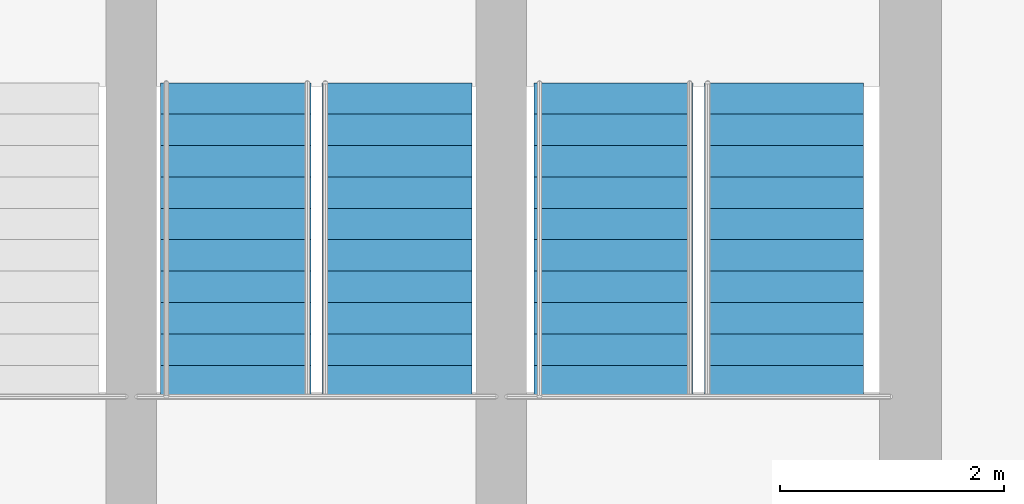
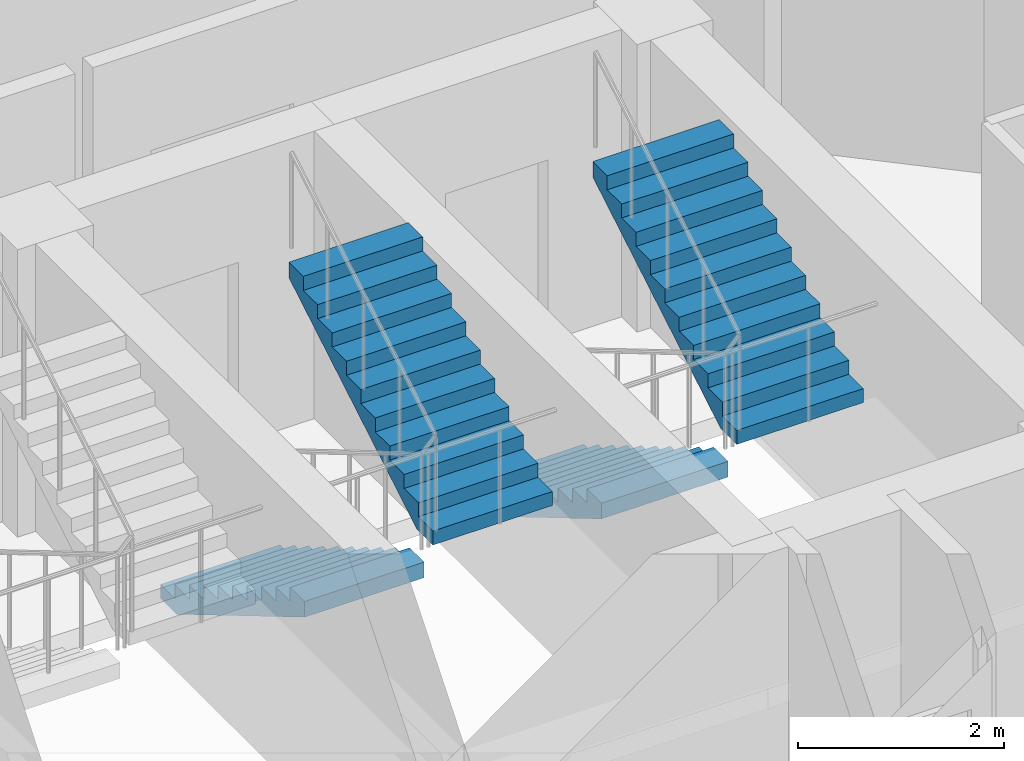
# One storey, part 26 of 27: 4 stair flights, 2 elements without a shape of their own.
"""IFC4 building model written with IfcOpenShell, lengths in metres."""

from ifc_helpers import new_model, si_unit, direction, frame, origin, place, context, subcontext, project, spatial, polyline, outline, extrude, material, type_object, element, aggregate, save


model = new_model("IFC4")

# Units and contexts
model_context = context("Model", 3, precision=1e-05, world=origin(), true_north=direction((0.0, 1.0)))
body_context = subcontext(model_context, "Body", "Model", "MODEL_VIEW")
ifc_project = project(units=[si_unit("LENGTHUNIT", "METRE"), si_unit("AREAUNIT", "SQUARE_METRE"), si_unit("VOLUMEUNIT", "CUBIC_METRE"), si_unit("PLANEANGLEUNIT", "RADIAN"), si_unit("MASSUNIT", "GRAM", prefix="KILO")], contexts=[model_context])

# Site, building, storey
site_placement = place(None, origin())
site = spatial("IfcSite", under=ifc_project, at=site_placement, CompositionType="ELEMENT")
building_placement = place(site_placement, origin())
building = spatial("IfcBuilding", under=site, at=building_placement, Name="Nuhasar Tower", CompositionType="ELEMENT")
storey_placement = place(building_placement, frame((0.0, 0.0, 219.10009765625)))
storey = spatial("IfcBuildingStorey", under=building, at=storey_placement, Name="L53", CompositionType="ELEMENT", Elevation=219.10009765625)

# Stair, stair flights
ifc_material = material(Name="Concrete C45/55", Category="concrete")
stair_type_1 = type_object("IfcStairType", Name="STR-ST-02-2F-22R-1659", PredefinedType="HALF_TURN_STAIR", material=ifc_material)
stair_1_placement = place(storey_placement, origin())
stair_1 = element("IfcStair", 1, at=stair_1_placement, inside=storey, type_object=stair_type_1, Name="L53 Exit Stair ST-02", PredefinedType="HALF_TURN_STAIR")
stair_flight_type_1 = type_object("IfcStairFlightType", Name="SFL-ST-02-11R-1659", PredefinedType="STRAIGHT", material=ifc_material)
stair_flight_1_placement = place(storey_placement, frame((41.64990234375, 35.284912109375, 0.0), z_axis=(0.0, 0.0, 1.0), x_axis=(0.0, -1.0, 0.0)))
stair_flight_1 = element("IfcStairFlight", 2, at=stair_flight_1_placement, type_object=stair_flight_type_1, Name="ST-02 flight 1", NumberOfRisers=11, NumberOfTreads=10, PredefinedType="STRAIGHT", RiserHeight=0.165909, TreadLength=0.28, context=body_context, shape_type="SweptSolid", body=[
    extrude(outline(polyline([(0.0, 0.0), (0.0, 0.166015625), (0.280029296875, 0.166015625), (0.280029296875, 0.331787109375), (0.56005859375, 0.331787109375), (0.56005859375, 0.497802734375), (0.840087890625, 0.497802734375), (0.840087890625, 0.66357421875), (1.1201171875, 0.66357421875), (1.1201171875, 0.82958984375), (1.39990234375, 0.82958984375), (1.39990234375, 0.995361328125), (1.679931640625, 0.995361328125), (1.679931640625, 1.161376953125), (1.9599609375, 1.161376953125), (1.9599609375, 1.327392578125), (2.239990234375, 1.327392578125), (2.239990234375, 1.4931640625), (2.52001953125, 1.4931640625), (2.52001953125, 1.6591796875), (2.800048828125, 1.6591796875), (2.800048828125, 1.824951171875), (2.800048828125, 1.47314453125), (0.313720703125, 0.0), (0.0, 0.0)])), frame((0.0, 0.7099609375, 0.0), z_axis=(0.0, -1.0, 0.0), x_axis=(1.0, 0.0, 0.0)), (0.0, 0.0, 1.0), 1.419921875),
])
stair_flight_2_placement = place(storey_placement, frame((43.169921875, 32.485107421875, 1.824951171875), z_axis=(0.0, 0.0, 1.0), x_axis=(0.0, 1.0, 0.0)))
stair_flight_2 = element("IfcStairFlight", 3, at=stair_flight_2_placement, type_object=stair_flight_type_1, Name="ST-02 flight 2", NumberOfRisers=11, NumberOfTreads=10, PredefinedType="STRAIGHT", RiserHeight=0.165909, TreadLength=0.28, context=body_context, shape_type="SweptSolid", body=[
    extrude(outline(polyline([(0.0, 0.0), (0.0, 0.166015625), (0.280029296875, 0.166015625), (0.280029296875, 0.331787109375), (0.56005859375, 0.331787109375), (0.56005859375, 0.497802734375), (0.840087890625, 0.497802734375), (0.840087890625, 0.66357421875), (1.1201171875, 0.66357421875), (1.1201171875, 0.82958984375), (1.39990234375, 0.82958984375), (1.39990234375, 0.995361328125), (1.679931640625, 0.995361328125), (1.679931640625, 1.161376953125), (1.9599609375, 1.161376953125), (1.9599609375, 1.327392578125), (2.239990234375, 1.327392578125), (2.239990234375, 1.4931640625), (2.52001953125, 1.4931640625), (2.52001953125, 1.6591796875), (2.800048828125, 1.6591796875), (2.800048828125, 1.824951171875), (2.800048828125, 1.47314453125), (0.313720703125, 0.0), (0.0, 0.0)])), frame((0.0, 0.7099609375, 0.0), z_axis=(0.0, -1.0, 0.0), x_axis=(1.0, 0.0, 0.0)), (0.0, 0.0, 1.0), 1.419921875),
])
aggregate(stair_1, [stair_flight_1, stair_flight_2])

stair_type_2 = type_object("IfcStairType", Name="STR-ST-03-2F-22R-1659", PredefinedType="HALF_TURN_STAIR", material=ifc_material)
stair_2_placement = place(storey_placement, origin())
stair_2 = element("IfcStair", 4, at=stair_2_placement, inside=storey, type_object=stair_type_2, Name="L53 Exit Stair ST-03", PredefinedType="HALF_TURN_STAIR")
stair_flight_type_2 = type_object("IfcStairFlightType", Name="SFL-ST-03-11R-1659", PredefinedType="STRAIGHT", material=ifc_material)
stair_flight_3_placement = place(storey_placement, frame((38.280029296875, 35.284912109375, 0.0), z_axis=(0.0, 0.0, 1.0), x_axis=(0.0, -1.0, 0.0)))
stair_flight_3 = element("IfcStairFlight", 5, at=stair_flight_3_placement, type_object=stair_flight_type_2, Name="ST-03 flight 1", NumberOfRisers=11, NumberOfTreads=10, PredefinedType="STRAIGHT", RiserHeight=0.165909, TreadLength=0.28, context=body_context, shape_type="SweptSolid", body=[
    extrude(outline(polyline([(0.0, 0.0), (0.0, 0.166015625), (0.280029296875, 0.166015625), (0.280029296875, 0.331787109375), (0.56005859375, 0.331787109375), (0.56005859375, 0.497802734375), (0.840087890625, 0.497802734375), (0.840087890625, 0.66357421875), (1.1201171875, 0.66357421875), (1.1201171875, 0.82958984375), (1.39990234375, 0.82958984375), (1.39990234375, 0.995361328125), (1.679931640625, 0.995361328125), (1.679931640625, 1.161376953125), (1.9599609375, 1.161376953125), (1.9599609375, 1.327392578125), (2.239990234375, 1.327392578125), (2.239990234375, 1.4931640625), (2.52001953125, 1.4931640625), (2.52001953125, 1.6591796875), (2.800048828125, 1.6591796875), (2.800048828125, 1.824951171875), (2.800048828125, 1.47314453125), (0.313720703125, 0.0), (0.0, 0.0)])), frame((0.0, 0.669921875, 0.0), z_axis=(0.0, -1.0, 0.0), x_axis=(1.0, 0.0, 0.0)), (0.0, 0.0, 1.0), 1.340087890625),
])
stair_flight_4_placement = place(storey_placement, frame((39.719970703125, 32.485107421875, 1.824951171875), z_axis=(0.0, 0.0, 1.0), x_axis=(0.0, 1.0, 0.0)))
stair_flight_4 = element("IfcStairFlight", 6, at=stair_flight_4_placement, type_object=stair_flight_type_2, Name="ST-03 flight 2", NumberOfRisers=11, NumberOfTreads=10, PredefinedType="STRAIGHT", RiserHeight=0.165909, TreadLength=0.28, context=body_context, shape_type="SweptSolid", body=[
    extrude(outline(polyline([(0.0, 0.0), (0.0, 0.166015625), (0.280029296875, 0.166015625), (0.280029296875, 0.331787109375), (0.56005859375, 0.331787109375), (0.56005859375, 0.497802734375), (0.840087890625, 0.497802734375), (0.840087890625, 0.66357421875), (1.1201171875, 0.66357421875), (1.1201171875, 0.82958984375), (1.39990234375, 0.82958984375), (1.39990234375, 0.995361328125), (1.679931640625, 0.995361328125), (1.679931640625, 1.161376953125), (1.9599609375, 1.161376953125), (1.9599609375, 1.327392578125), (2.239990234375, 1.327392578125), (2.239990234375, 1.4931640625), (2.52001953125, 1.4931640625), (2.52001953125, 1.6591796875), (2.800048828125, 1.6591796875), (2.800048828125, 1.824951171875), (2.800048828125, 1.47314453125), (0.313720703125, 0.0), (0.0, 0.0)])), frame((0.0, 0.669921875, 0.0), z_axis=(0.0, -1.0, 0.0), x_axis=(1.0, 0.0, 0.0)), (0.0, 0.0, 1.0), 1.340087890625),
])
aggregate(stair_2, [stair_flight_3, stair_flight_4])

save(model, "model.ifc")
